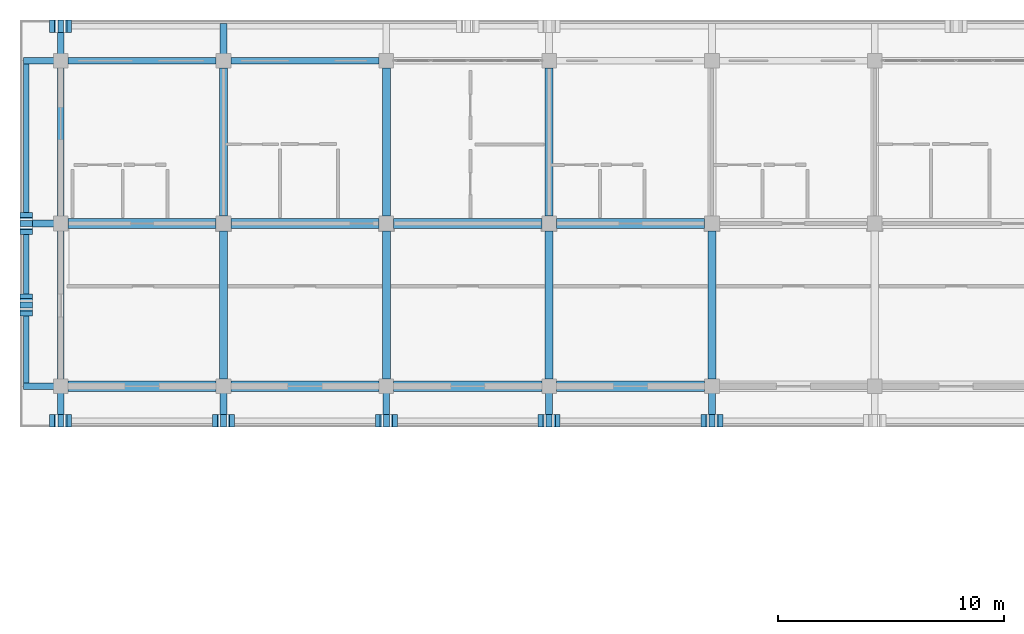
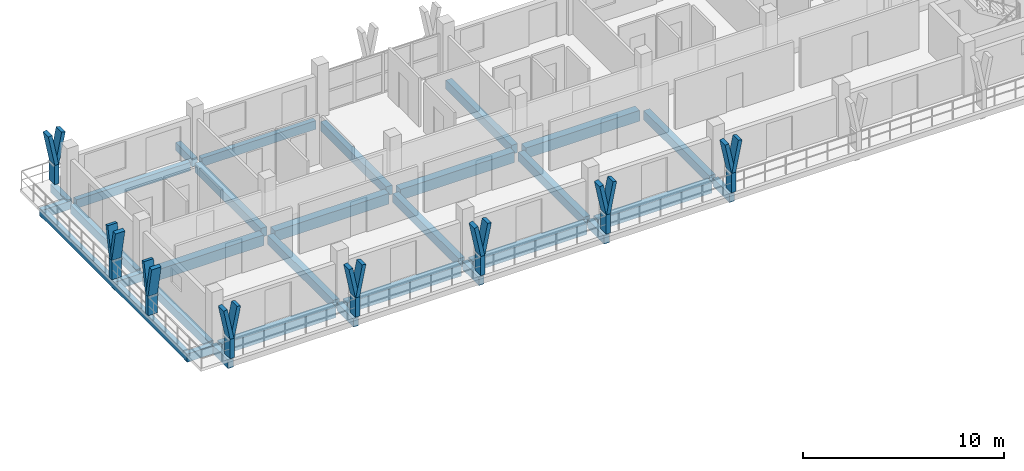
# One storey, part 9 of 76: 30 beams, 24 members.
"""IFC4 building model written with IfcOpenShell, lengths in metres."""

from ifc_helpers import new_model, si_unit, direction, frame, origin, origin_2d, place, context, subcontext, project, spatial, rectangle, extrude, material, material_profile, profile_set, type_object, element, save


model = new_model("IFC4")

# Units and contexts
model_context = context("Model", 3, precision=1e-05, world=origin(), true_north=direction((0.0, 1.0)))
body_context = subcontext(model_context, "Body", "Model", "MODEL_VIEW")
ifc_project = project(units=[si_unit("LENGTHUNIT", "METRE"), si_unit("AREAUNIT", "SQUARE_METRE"), si_unit("VOLUMEUNIT", "CUBIC_METRE"), si_unit("PLANEANGLEUNIT", "RADIAN"), si_unit("MASSUNIT", "GRAM", prefix="KILO")], contexts=[model_context])

# Site, building, storey
site_placement = place(None, origin())
site = spatial("IfcSite", under=ifc_project, at=site_placement, CompositionType="ELEMENT")
building_placement = place(site_placement, origin())
building = spatial("IfcBuilding", under=site, at=building_placement, Name="Suanplinth Sawtooth Commons", CompositionType="ELEMENT")
storey_placement = place(building_placement, frame((0.0, 0.0, 12.199951171875)))
storey = spatial("IfcBuildingStorey", under=building, at=storey_placement, Name="L03", CompositionType="ELEMENT", Elevation=12.199951171875)

# Beams
ifc_material_1 = material(Name="Precast concrete C40/50", Category="concrete")
ifc_material_profile_1 = material_profile(ifc_material_1, rectangle(XDim=0.449951171875, YDim=0.64990234375, at=origin_2d()), Name="PC-GDR 450x650")
ifc_profile_set_1 = profile_set([ifc_material_profile_1], Name="Precast concrete C40/50")
beam_type_1 = type_object("IfcBeamType", Name="B-04", PredefinedType="USERDEFINED", material=ifc_profile_set_1)
for number, where, z_axis, x_axis, name in (
    (1, (0.324951171875, 108.0, -0.56494140625), (1.0, 0.0, 0.0), (0.0, 1.0, 0.0), "BMX-L03-A-0-15"),
    (2, (0.324951171875, 115.199951171875, -0.56494140625), (1.0, 0.0, 0.0), (0.0, 1.0, 0.0), "BMX-L03-A-0-16"),
    (3, (7.52490234375, 108.0, -0.56494140625), (1.0, 0.0, 0.0), (0.0, 1.0, 0.0), "BMX-L03-A-1-15"),
    (4, (7.52490234375, 115.199951171875, -0.56494140625), (1.0, 0.0, 0.0), (0.0, 1.0, 0.0), "BMX-L03-A-1-16"),
):
    element("IfcBeam", number, at=place(storey_placement, frame(where, z_axis=z_axis, x_axis=x_axis)), inside=storey, type_object=beam_type_1, Name=name, ObjectType="GIRDER", PredefinedType="USERDEFINED", context=body_context, shape_type="SweptSolid", body=[
        extrude(rectangle(XDim=0.449951171875, YDim=0.64990234375, at=origin_2d()), origin(), (0.0, 0.0, 1.0), 6.550048828125),
    ])
for number, where, z_axis, x_axis, name in (
    (5, (14.72509765625, 108.0, -0.56494140625), (1.0, 0.0, 0.0), (0.0, 1.0, 0.0), "BMX-L03-A-2-15"),
    (6, (14.72509765625, 115.199951171875, -0.56494140625), (1.0, 0.0, 0.0), (0.0, 1.0, 0.0), "BMX-L03-A-2-16"),
):
    element("IfcBeam", number, at=place(storey_placement, frame(where, z_axis=z_axis, x_axis=x_axis)), inside=storey, type_object=beam_type_1, Name=name, ObjectType="GIRDER", PredefinedType="USERDEFINED", context=body_context, shape_type="SweptSolid", body=[
        extrude(rectangle(XDim=0.449951171875, YDim=0.64990234375, at=origin_2d()), origin(), (0.0, 0.0, 1.0), 6.5498046875),
    ])
for number, where, z_axis, x_axis, name in (
    (7, (21.925048828125, 108.0, -0.56494140625), (1.0, 0.0, 0.0), (0.0, 1.0, 0.0), "BMX-L03-A-3-15"),
    (8, (21.925048828125, 115.199951171875, -0.56494140625), (1.0, 0.0, 0.0), (0.0, 1.0, 0.0), "BMX-L03-A-3-16"),
):
    element("IfcBeam", number, at=place(storey_placement, frame(where, z_axis=z_axis, x_axis=x_axis)), inside=storey, type_object=beam_type_1, Name=name, ObjectType="GIRDER", PredefinedType="USERDEFINED", context=body_context, shape_type="SweptSolid", body=[
        extrude(rectangle(XDim=0.449951171875, YDim=0.64990234375, at=origin_2d()), origin(), (0.0, 0.0, 1.0), 6.550048828125),
    ])
ifc_material_profile_2 = material_profile(ifc_material_1, rectangle(XDim=0.35009765625, YDim=0.550048828125, at=origin_2d()), Name="PC-BM 350x550")
ifc_profile_set_2 = profile_set([ifc_material_profile_2], Name="Precast concrete C40/50")
beam_type_2 = type_object("IfcBeamType", Name="B-06", PredefinedType="BEAM", material=ifc_profile_set_2)
for number, where, z_axis, x_axis, name in (
    (9, (7.199951171875, 108.324951171875, -0.514892578125), (0.0, 1.0, 0.0), (-1.0, 0.0, 0.0), "BMY-L03-A-1-15"),
    (10, (7.199951171875, 115.52490234375, -0.514892578125), (0.0, 1.0, 0.0), (-1.0, 0.0, 0.0), "BMY-L03-A-1-16"),
    (11, (14.39990234375, 108.324951171875, -0.514892578125), (0.0, 1.0, 0.0), (-1.0, 0.0, 0.0), "BMY-L03-A-2-15"),
    (12, (14.39990234375, 115.52490234375, -0.514892578125), (0.0, 1.0, 0.0), (-1.0, 0.0, 0.0), "BMY-L03-A-2-16"),
    (13, (21.60009765625, 108.324951171875, -0.514892578125), (0.0, 1.0, 0.0), (-1.0, 0.0, 0.0), "BMY-L03-A-3-15"),
    (14, (21.60009765625, 115.52490234375, -0.514892578125), (0.0, 1.0, 0.0), (-1.0, 0.0, 0.0), "BMY-L03-A-3-16"),
    (15, (28.800048828125, 108.324951171875, -0.514892578125), (0.0, 1.0, 0.0), (-1.0, 0.0, 0.0), "BMY-L03-A-4-15"),
):
    element("IfcBeam", number, at=place(storey_placement, frame(where, z_axis=z_axis, x_axis=x_axis)), inside=storey, type_object=beam_type_2, Name=name, PredefinedType="BEAM", context=body_context, shape_type="SweptSolid", body=[
        extrude(rectangle(XDim=0.35009765625, YDim=0.550048828125, at=origin_2d()), origin(), (0.0, 0.0, 1.0), 6.550048828125),
    ])
ifc_material_profile_3 = material_profile(ifc_material_1, rectangle(XDim=0.300048828125, YDim=0.5, at=origin_2d()), Name="PC-BM 300x500")
ifc_profile_set_3 = profile_set([ifc_material_profile_3], Name="Precast concrete C40/50")
beam_type_3 = type_object("IfcBeamType", Name="B-07", PredefinedType="BEAM", material=ifc_profile_set_3)
for number, where, z_axis, x_axis, name in (
    (16, (0.0, 122.39990234375, -0.429931640625), (0.0, 1.0, 0.0), (-1.0, 0.0, 0.0), "Balcony Outrigger L03-A-N-0"),
    (17, (7.199951171875, 122.39990234375, -0.429931640625), (0.0, 1.0, 0.0), (-1.0, 0.0, 0.0), "Balcony Outrigger L03-A-N-1"),
):
    element("IfcBeam", number, at=place(storey_placement, frame(where, z_axis=z_axis, x_axis=x_axis)), inside=storey, type_object=beam_type_3, Name=name, PredefinedType="BEAM", context=body_context, shape_type="SweptSolid", body=[
        extrude(rectangle(XDim=0.300048828125, YDim=0.5, at=origin_2d()), origin(), (0.0, 0.0, 1.0), 1.64013671875),
    ])
for number, where, z_axis, x_axis, name in (
    (18, (0.0, 108.0, -0.429931640625), (0.0, -1.0, 0.0), (1.0, 0.0, 0.0), "Balcony Outrigger L03-A-S-0"),
    (19, (7.199951171875, 108.0, -0.429931640625), (0.0, -1.0, 0.0), (1.0, 0.0, 0.0), "Balcony Outrigger L03-A-S-1"),
    (20, (14.39990234375, 108.0, -0.429931640625), (0.0, -1.0, 0.0), (1.0, 0.0, 0.0), "Balcony Outrigger L03-A-S-2"),
    (21, (21.60009765625, 108.0, -0.429931640625), (0.0, -1.0, 0.0), (1.0, 0.0, 0.0), "Balcony Outrigger L03-A-S-3"),
    (22, (28.800048828125, 108.0, -0.429931640625), (0.0, -1.0, 0.0), (1.0, 0.0, 0.0), "Balcony Outrigger L03-A-S-4"),
    (23, (0.0, 108.0, -0.429931640625), (-1.0, 0.0, 0.0), (0.0, -1.0, 0.0), "Balcony Outrigger L03-A-W-15"),
    (24, (0.0, 115.199951171875, -0.429931640625), (-1.0, 0.0, 0.0), (0.0, -1.0, 0.0), "Balcony Outrigger L03-A-W-16"),
    (25, (0.0, 122.39990234375, -0.429931640625), (-1.0, 0.0, 0.0), (0.0, -1.0, 0.0), "Balcony Outrigger L03-A-W-17"),
):
    element("IfcBeam", number, at=place(storey_placement, frame(where, z_axis=z_axis, x_axis=x_axis)), inside=storey, type_object=beam_type_3, Name=name, PredefinedType="BEAM", context=body_context, shape_type="SweptSolid", body=[
        extrude(rectangle(XDim=0.300048828125, YDim=0.5, at=origin_2d()), origin(), (0.0, 0.0, 1.0), 1.639892578125),
    ])
ifc_material_profile_4 = material_profile(ifc_material_1, rectangle(XDim=0.280029296875, YDim=0.52001953125, at=origin_2d()), Name="PC-SP 280x520")
ifc_profile_set_4 = profile_set([ifc_material_profile_4], Name="Precast concrete C40/50")
beam_type_4 = type_object("IfcBeamType", Name="B-08", PredefinedType="SPANDREL", material=ifc_profile_set_4)
for number, where, z_axis, x_axis, name in (
    (26, (0.324951171875, 122.39990234375, -0.5), (1.0, 0.0, 0.0), (0.0, 1.0, 0.0), "BMX-L03-A-0-17"),
    (27, (7.52490234375, 122.39990234375, -0.5), (1.0, 0.0, 0.0), (0.0, 1.0, 0.0), "BMX-L03-A-1-17"),
    (28, (0.0, 108.324951171875, -0.5), (0.0, 1.0, 0.0), (-1.0, 0.0, 0.0), "BMY-L03-A-0-15"),
    (29, (0.0, 115.52490234375, -0.5), (0.0, 1.0, 0.0), (-1.0, 0.0, 0.0), "BMY-L03-A-0-16"),
):
    element("IfcBeam", number, at=place(storey_placement, frame(where, z_axis=z_axis, x_axis=x_axis)), inside=storey, type_object=beam_type_4, Name=name, PredefinedType="SPANDREL", context=body_context, shape_type="SweptSolid", body=[
        extrude(rectangle(XDim=0.280029296875, YDim=0.52001953125, at=origin_2d()), origin(), (0.0, 0.0, 1.0), 6.550048828125),
    ])
ifc_material_profile_5 = material_profile(ifc_material_1, rectangle(XDim=0.25, YDim=0.449951171875, at=origin_2d()), Name="PC-SP 250x450")
ifc_profile_set_5 = profile_set([ifc_material_profile_5], Name="Precast concrete C40/50")
beam_type_5 = type_object("IfcBeamType", Name="B-09", PredefinedType="SPANDREL", material=ifc_profile_set_5)
beam_placement = place(storey_placement, frame((-1.52001953125, 107.85009765625, -0.405029296875), z_axis=(0.0, 1.0, 0.0), x_axis=(-1.0, 0.0, 0.0)))
element("IfcBeam", 30, at=beam_placement, inside=storey, type_object=beam_type_5, Name="Balcony Edge Fascia L03-A-W", PredefinedType="SPANDREL", context=body_context, shape_type="SweptSolid", body=[
    extrude(rectangle(XDim=0.25, YDim=0.449951171875, at=origin_2d()), origin(), (0.0, 0.0, 1.0), 14.699951171875),
])

# Members
ifc_material_2 = material(Name="Pigmented precast concrete C40/50", Category="concrete")
ifc_material_profile_6 = material_profile(ifc_material_2, rectangle(XDim=0.260009765625, YDim=0.550048828125, at=origin_2d()), Name="PC-FIN 260x550")
ifc_profile_set_6 = profile_set([ifc_material_profile_6], Name="Pigmented precast concrete C40/50")
member_type_1 = type_object("IfcMemberType", Name="M-09", PredefinedType="USERDEFINED", material=ifc_profile_set_6)
for number, where, z_axis, x_axis, name in (
    (31, (0.0, 123.919921875, 0.0), (0.0, 0.0, 1.0), (1.0, 0.0, 0.0), "Y-Blade Stem L03-A-N-01"),
    (32, (0.0, 106.47998046875, 0.0), (0.0, 0.0, 1.0), (1.0, 0.0, 0.0), "Y-Blade Stem L03-A-S-10"),
    (33, (7.199951171875, 106.47998046875, 0.0), (0.0, 0.0, 1.0), (1.0, 0.0, 0.0), "Y-Blade Stem L03-A-S-11"),
    (34, (14.39990234375, 106.47998046875, 0.0), (0.0, 0.0, 1.0), (1.0, 0.0, 0.0), "Y-Blade Stem L03-A-S-12"),
    (35, (21.60009765625, 106.47998046875, 0.0), (0.0, 0.0, 1.0), (1.0, 0.0, 0.0), "Y-Blade Stem L03-A-S-13"),
    (36, (28.800048828125, 106.47998046875, 0.0), (0.0, 0.0, 1.0), (1.0, 0.0, 0.0), "Y-Blade Stem L03-A-S-14"),
    (37, (-1.52001953125, 111.60009765625, 0.0), (0.0, 0.0, 1.0), (0.0, 1.0, 0.0), "Y-Blade Stem L03-A-W-31"),
    (38, (-1.52001953125, 115.199951171875, 0.0), (0.0, 0.0, 1.0), (0.0, 1.0, 0.0), "Y-Blade Stem L03-A-W-32"),
):
    element("IfcMember", number, at=place(storey_placement, frame(where, z_axis=z_axis, x_axis=x_axis)), inside=storey, type_object=member_type_1, Name=name, ObjectType="SHADING FIN", PredefinedType="USERDEFINED", context=body_context, shape_type="SweptSolid", body=[
        extrude(rectangle(XDim=0.260009765625, YDim=0.550048828125, at=origin_2d()), origin(), (0.0, 0.0, 1.0), 1.170166015625),
    ])
ifc_material_profile_7 = material_profile(ifc_material_2, rectangle(XDim=0.219970703125, YDim=0.550048828125, at=origin_2d()), Name="PC-FIN 220x550")
ifc_profile_set_7 = profile_set([ifc_material_profile_7], Name="Pigmented precast concrete C40/50")
member_type_2 = type_object("IfcMemberType", Name="M-10", PredefinedType="USERDEFINED", material=ifc_profile_set_7)
for number, where, z_axis, x_axis, name in (
    (39, (0.0, 123.919921875, 1.130126953125), (-0.196431120402, 0.0, 0.980517626021), (0.980517626021, 0.0, 0.196431120402), "Y-Blade Arm L L03-A-N-01"),
    (40, (0.0, 123.919921875, 1.130126953125), (0.196431120402, 0.0, 0.980517626021), (-0.980517626021, 0.0, 0.196431120402), "Y-Blade Arm R L03-A-N-01"),
    (41, (0.0, 106.47998046875, 1.130126953125), (-0.196431120402, 0.0, 0.980517626021), (0.980517626021, 0.0, 0.196431120402), "Y-Blade Arm L L03-A-S-10"),
    (42, (0.0, 106.47998046875, 1.130126953125), (0.196431120402, 0.0, 0.980517626021), (-0.980517626021, 0.0, 0.196431120402), "Y-Blade Arm R L03-A-S-10"),
):
    element("IfcMember", number, at=place(storey_placement, frame(where, z_axis=z_axis, x_axis=x_axis)), inside=storey, type_object=member_type_2, Name=name, ObjectType="SHADING FIN", PredefinedType="USERDEFINED", context=body_context, shape_type="SweptSolid", body=[
        extrude(rectangle(XDim=0.219970703125, YDim=0.550048828125, at=origin_2d()), origin(), (0.0, 0.0, 1.0), 1.937744140625),
    ])
member_1_placement = place(storey_placement, frame((7.199951171875, 106.47998046875, 1.130126953125), z_axis=(-0.196309979414, 0.0, 0.980541886909), x_axis=(0.980541886909, 0.0, 0.196309979414)))
element("IfcMember", 43, at=member_1_placement, inside=storey, type_object=member_type_2, Name="Y-Blade Arm L L03-A-S-11", ObjectType="SHADING FIN", PredefinedType="USERDEFINED", context=body_context, shape_type="SweptSolid", body=[
    extrude(rectangle(XDim=0.219970703125, YDim=0.550048828125, at=origin_2d()), origin(), (0.0, 0.0, 1.0), 1.9375),
])
member_2_placement = place(storey_placement, frame((7.199951171875, 106.47998046875, 1.130126953125), z_axis=(0.196431120402, 0.0, 0.980517626021), x_axis=(-0.980517626021, 0.0, 0.196431120402)))
element("IfcMember", 44, at=member_2_placement, inside=storey, type_object=member_type_2, Name="Y-Blade Arm R L03-A-S-11", ObjectType="SHADING FIN", PredefinedType="USERDEFINED", context=body_context, shape_type="SweptSolid", body=[
    extrude(rectangle(XDim=0.219970703125, YDim=0.550048828125, at=origin_2d()), origin(), (0.0, 0.0, 1.0), 1.937744140625),
])
member_3_placement = place(storey_placement, frame((14.39990234375, 106.47998046875, 1.130126953125), z_axis=(-0.196309979414, 0.0, 0.980541886909), x_axis=(0.980541886909, 0.0, 0.196309979414)))
element("IfcMember", 45, at=member_3_placement, inside=storey, type_object=member_type_2, Name="Y-Blade Arm L L03-A-S-12", ObjectType="SHADING FIN", PredefinedType="USERDEFINED", context=body_context, shape_type="SweptSolid", body=[
    extrude(rectangle(XDim=0.219970703125, YDim=0.550048828125, at=origin_2d()), origin(), (0.0, 0.0, 1.0), 1.9375),
])
for number, where, z_axis, x_axis, name in (
    (46, (14.39990234375, 106.47998046875, 1.130126953125), (0.196431120402, 0.0, 0.980517626021), (-0.980517626021, 0.0, 0.196431120402), "Y-Blade Arm R L03-A-S-12"),
    (47, (21.60009765625, 106.47998046875, 1.130126953125), (-0.196431120402, 0.0, 0.980517626021), (0.980517626021, 0.0, 0.196431120402), "Y-Blade Arm L L03-A-S-13"),
):
    element("IfcMember", number, at=place(storey_placement, frame(where, z_axis=z_axis, x_axis=x_axis)), inside=storey, type_object=member_type_2, Name=name, ObjectType="SHADING FIN", PredefinedType="USERDEFINED", context=body_context, shape_type="SweptSolid", body=[
        extrude(rectangle(XDim=0.219970703125, YDim=0.550048828125, at=origin_2d()), origin(), (0.0, 0.0, 1.0), 1.937744140625),
    ])
member_4_placement = place(storey_placement, frame((21.60009765625, 106.47998046875, 1.130126953125), z_axis=(0.196309979414, 0.0, 0.980541886909), x_axis=(-0.980541886909, 0.0, 0.196309979414)))
element("IfcMember", 48, at=member_4_placement, inside=storey, type_object=member_type_2, Name="Y-Blade Arm R L03-A-S-13", ObjectType="SHADING FIN", PredefinedType="USERDEFINED", context=body_context, shape_type="SweptSolid", body=[
    extrude(rectangle(XDim=0.219970703125, YDim=0.550048828125, at=origin_2d()), origin(), (0.0, 0.0, 1.0), 1.9375),
])
member_5_placement = place(storey_placement, frame((28.800048828125, 106.47998046875, 1.130126953125), z_axis=(-0.196431120402, 0.0, 0.980517626021), x_axis=(0.980517626021, 0.0, 0.196431120402)))
element("IfcMember", 49, at=member_5_placement, inside=storey, type_object=member_type_2, Name="Y-Blade Arm L L03-A-S-14", ObjectType="SHADING FIN", PredefinedType="USERDEFINED", context=body_context, shape_type="SweptSolid", body=[
    extrude(rectangle(XDim=0.219970703125, YDim=0.550048828125, at=origin_2d()), origin(), (0.0, 0.0, 1.0), 1.937744140625),
])
member_6_placement = place(storey_placement, frame((28.800048828125, 106.47998046875, 1.130126953125), z_axis=(0.196309979414, 0.0, 0.980541886909), x_axis=(-0.980541886909, 0.0, 0.196309979414)))
element("IfcMember", 50, at=member_6_placement, inside=storey, type_object=member_type_2, Name="Y-Blade Arm R L03-A-S-14", ObjectType="SHADING FIN", PredefinedType="USERDEFINED", context=body_context, shape_type="SweptSolid", body=[
    extrude(rectangle(XDim=0.219970703125, YDim=0.550048828125, at=origin_2d()), origin(), (0.0, 0.0, 1.0), 1.9375),
])
member_7_placement = place(storey_placement, frame((-1.52001953125, 111.60009765625, 1.130126953125), z_axis=(0.0, -0.196431120402, 0.980517626021), x_axis=(0.0, 0.980517626021, 0.196431120402)))
element("IfcMember", 51, at=member_7_placement, inside=storey, type_object=member_type_2, Name="Y-Blade Arm L L03-A-W-31", ObjectType="SHADING FIN", PredefinedType="USERDEFINED", context=body_context, shape_type="SweptSolid", body=[
    extrude(rectangle(XDim=0.219970703125, YDim=0.550048828125, at=origin_2d()), origin(), (0.0, 0.0, 1.0), 1.937744140625),
])
for number, where, z_axis, x_axis, name in (
    (52, (-1.52001953125, 111.60009765625, 1.130126953125), (0.0, 0.196309979414, 0.980541886909), (0.0, -0.980541886909, 0.196309979414), "Y-Blade Arm R L03-A-W-31"),
    (53, (-1.52001953125, 115.199951171875, 1.130126953125), (0.0, -0.196309979414, 0.980541886909), (0.0, 0.980541886909, 0.196309979414), "Y-Blade Arm L L03-A-W-32"),
):
    element("IfcMember", number, at=place(storey_placement, frame(where, z_axis=z_axis, x_axis=x_axis)), inside=storey, type_object=member_type_2, Name=name, ObjectType="SHADING FIN", PredefinedType="USERDEFINED", context=body_context, shape_type="SweptSolid", body=[
        extrude(rectangle(XDim=0.219970703125, YDim=0.550048828125, at=origin_2d()), origin(), (0.0, 0.0, 1.0), 1.9375),
    ])
member_8_placement = place(storey_placement, frame((-1.52001953125, 115.199951171875, 1.130126953125), z_axis=(0.0, 0.196431120402, 0.980517626021), x_axis=(0.0, -0.980517626021, 0.196431120402)))
element("IfcMember", 54, at=member_8_placement, inside=storey, type_object=member_type_2, Name="Y-Blade Arm R L03-A-W-32", ObjectType="SHADING FIN", PredefinedType="USERDEFINED", context=body_context, shape_type="SweptSolid", body=[
    extrude(rectangle(XDim=0.219970703125, YDim=0.550048828125, at=origin_2d()), origin(), (0.0, 0.0, 1.0), 1.937744140625),
])

save(model, "model.ifc")
